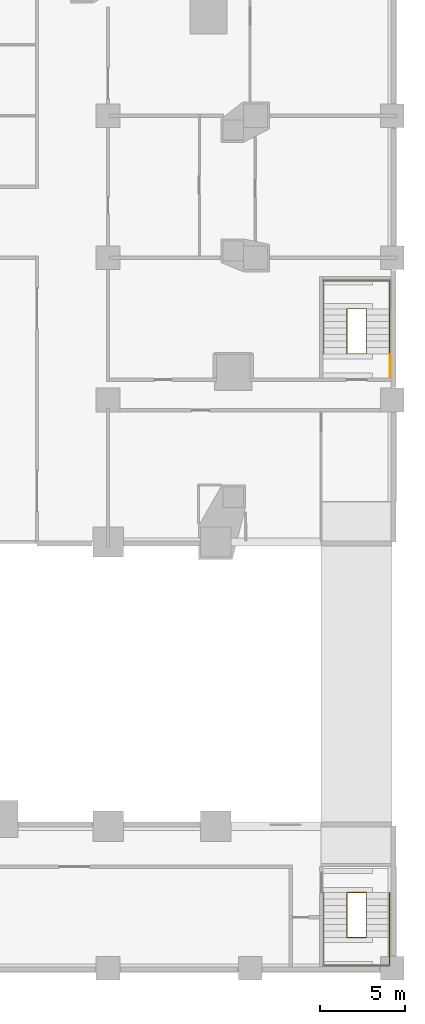
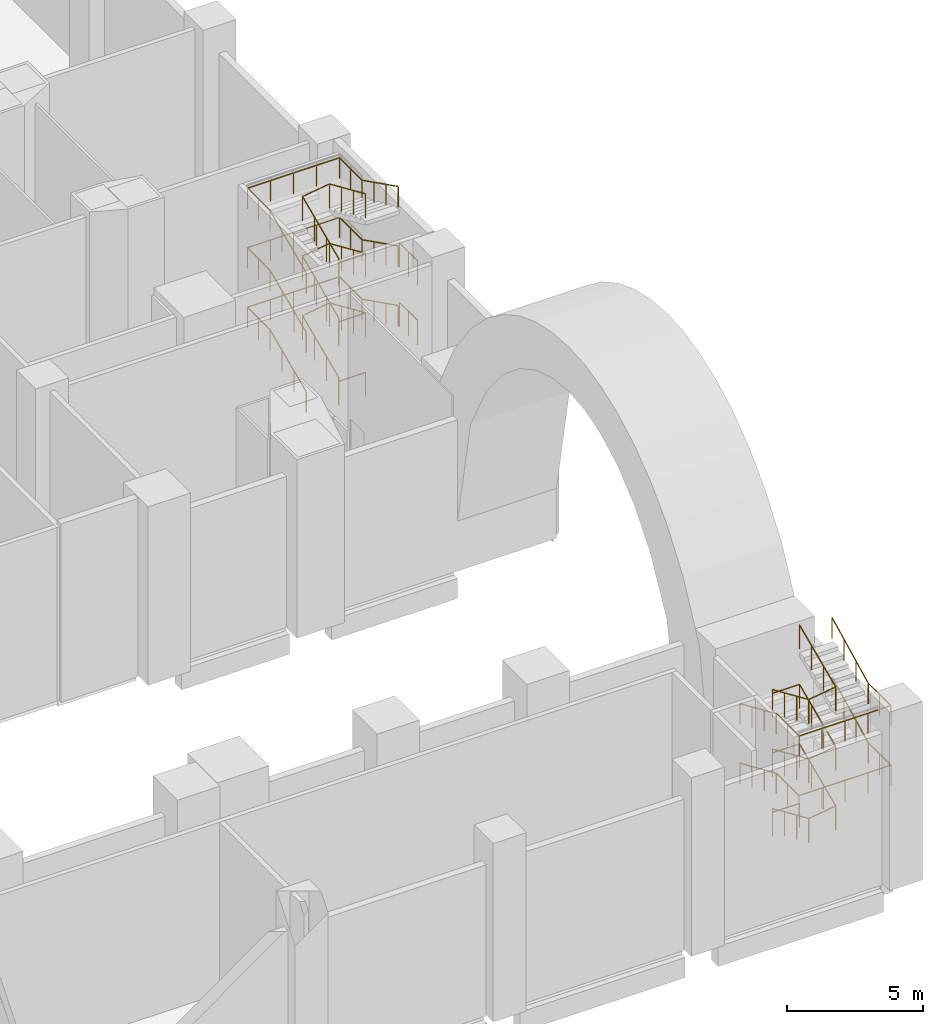
# One storey, part 17 of 19: 13 railings.
"""IFC4 building model written with IfcOpenShell, lengths in metres."""

from ifc_helpers import new_model, si_unit, direction, frame, origin, origin_2d, place, context, subcontext, project, spatial, circle, extrude, material, type_object, element, save


model = new_model("IFC4")

# Units and contexts
model_context = context("Model", 3, precision=1e-05, world=origin(), true_north=direction((0.0, 1.0)))
body_context = subcontext(model_context, "Body", "Model", "MODEL_VIEW")
ifc_project = project(units=[si_unit("LENGTHUNIT", "METRE"), si_unit("AREAUNIT", "SQUARE_METRE"), si_unit("VOLUMEUNIT", "CUBIC_METRE"), si_unit("PLANEANGLEUNIT", "RADIAN"), si_unit("MASSUNIT", "GRAM", prefix="KILO")], contexts=[model_context])

# Site, building, storey
site_placement = place(None, origin())
site = spatial("IfcSite", under=ifc_project, at=site_placement, CompositionType="ELEMENT")
building_placement = place(site_placement, origin())
building = spatial("IfcBuilding", under=site, at=building_placement, Name="Marenta Gate Hotel Tower", CompositionType="ELEMENT")
storey_placement = place(building_placement, frame((0.0, 0.0, 13.0)))
storey = spatial("IfcBuildingStorey", under=building, at=storey_placement, Name="L02", CompositionType="ELEMENT", Elevation=13.0)

# Railings
ifc_material_1 = material(Name="Stainless steel", Category="steel")
railing_type_1 = type_object("IfcRailingType", Name="Core stair handrail 950", PredefinedType="HANDRAIL", material=ifc_material_1)
railing_1_placement = place(storey_placement, frame((33.75, -20.72998046875, 2.833251953125)))
element("IfcRailing", 1, at=railing_1_placement, inside=storey, type_object=railing_type_1, Name="HR-950 L02-KR-PX2-5", PredefinedType="HANDRAIL", context=body_context, shape_type="SweptSolid", body=[
    extrude(circle(Radius=0.02392578125, at=origin_2d()), frame((0.0, 0.0, 0.92578125), z_axis=(0.0, -0.915773020194, 0.401696123314), x_axis=(1.0, 0.0, 0.0)), (0.0, 0.0, 1.0), 2.904541015625),
    extrude(circle(Radius=0.02392578125, at=origin_2d()), frame((0.0, -2.659912109375, 2.0927734375), z_axis=(0.0, -1.0, 0.0), x_axis=(1.0, 0.0, 0.0)), (0.0, 0.0, 1.0), 1.66015625),
    extrude(circle(Radius=0.02392578125, at=origin_2d()), frame((0.0, -4.320068359375, 2.0927734375), z_axis=(1.0, 0.0, 0.0), x_axis=(0.0, 1.0, 0.0)), (0.0, 0.0, 1.0), 3.89990234375),
    extrude(circle(Radius=0.02392578125, at=origin_2d()), frame((3.89990234375, -4.320068359375, 2.0927734375), z_axis=(0.0, 1.0, 0.0), x_axis=(-1.0, 0.0, 0.0)), (0.0, 0.0, 1.0), 1.66015625),
    extrude(circle(Radius=0.02392578125, at=origin_2d()), frame((3.89990234375, -2.659912109375, 2.0927734375), z_axis=(0.0, 0.893983657746, 0.448099564475), x_axis=(-1.0, 0.0, 0.0)), (0.0, 0.0, 1.0), 2.975341796875),
    extrude(circle(Radius=0.02099609375, at=origin_2d()), origin(), (0.0, 0.0, 1.0), 0.90185546875),
    extrude(circle(Radius=0.02099609375, at=origin_2d()), frame((0.0, -0.88671875, 0.388916015625)), (0.0, 0.0, 1.0), 0.90185546875),
    extrude(circle(Radius=0.02099609375, at=origin_2d()), frame((0.0, -1.773193359375, 0.77783203125)), (0.0, 0.0, 1.0), 0.90185546875),
    extrude(circle(Radius=0.02099609375, at=origin_2d()), frame((0.0, -2.659912109375, 1.166748046875)), (0.0, 0.0, 1.0), 0.90185546875),
    extrude(circle(Radius=0.02099609375, at=origin_2d()), frame((0.0, -3.489990234375, 1.166748046875)), (0.0, 0.0, 1.0), 0.90185546875),
    extrude(circle(Radius=0.02099609375, at=origin_2d()), frame((0.0, -4.320068359375, 1.166748046875)), (0.0, 0.0, 1.0), 0.90185546875),
    extrude(circle(Radius=0.02099609375, at=origin_2d()), frame((0.97509765625, -4.320068359375, 1.166748046875)), (0.0, 0.0, 1.0), 0.90185546875),
    extrude(circle(Radius=0.02099609375, at=origin_2d()), frame((1.949951171875, -4.320068359375, 1.166748046875)), (0.0, 0.0, 1.0), 0.90185546875),
    extrude(circle(Radius=0.02099609375, at=origin_2d()), frame((2.9248046875, -4.320068359375, 1.166748046875)), (0.0, 0.0, 1.0), 0.90185546875),
    extrude(circle(Radius=0.02099609375, at=origin_2d()), frame((3.89990234375, -4.320068359375, 1.166748046875)), (0.0, 0.0, 1.0), 0.90185546875),
    extrude(circle(Radius=0.02099609375, at=origin_2d()), frame((3.89990234375, -3.489990234375, 1.166748046875)), (0.0, 0.0, 1.0), 0.90185546875),
    extrude(circle(Radius=0.02099609375, at=origin_2d()), frame((3.89990234375, -2.659912109375, 1.166748046875)), (0.0, 0.0, 1.0), 0.90185546875),
    extrude(circle(Radius=0.02099609375, at=origin_2d()), frame((3.89990234375, -1.773193359375, 1.611083984375)), (0.0, 0.0, 1.0), 0.90185546875),
    extrude(circle(Radius=0.02099609375, at=origin_2d()), frame((3.89990234375, -0.88671875, 2.0556640625)), (0.0, 0.0, 1.0), 0.90185546875),
    extrude(circle(Radius=0.02099609375, at=origin_2d()), frame((3.89990234375, 0.0, 2.5)), (0.0, 0.0, 1.0), 0.90185546875),
])
railing_2_placement = place(storey_placement, frame((33.75, -20.72998046875, 5.5)))
element("IfcRailing", 2, at=railing_2_placement, inside=storey, type_object=railing_type_1, Name="HR-950 L02-KR-PX2-8", PredefinedType="HANDRAIL", context=body_context, shape_type="SweptSolid", body=[
    extrude(circle(Radius=0.02392578125, at=origin_2d()), frame((0.0, 0.0, 0.92578125), z_axis=(0.0, -0.915773020194, 0.401696123314), x_axis=(1.0, 0.0, 0.0)), (0.0, 0.0, 1.0), 2.904541015625),
    extrude(circle(Radius=0.02392578125, at=origin_2d()), frame((0.0, -2.659912109375, 2.0927734375), z_axis=(0.0, -1.0, 0.0), x_axis=(1.0, 0.0, 0.0)), (0.0, 0.0, 1.0), 1.66015625),
    extrude(circle(Radius=0.02392578125, at=origin_2d()), frame((0.0, -4.320068359375, 2.0927734375), z_axis=(1.0, 0.0, 0.0), x_axis=(0.0, 1.0, 0.0)), (0.0, 0.0, 1.0), 3.89990234375),
    extrude(circle(Radius=0.02392578125, at=origin_2d()), frame((3.89990234375, -4.320068359375, 2.0927734375), z_axis=(0.0, 1.0, 0.0), x_axis=(-1.0, 0.0, 0.0)), (0.0, 0.0, 1.0), 1.66015625),
    extrude(circle(Radius=0.02392578125, at=origin_2d()), frame((3.89990234375, -2.659912109375, 2.0927734375), z_axis=(0.0, 0.893983657746, 0.448099564475), x_axis=(-1.0, 0.0, 0.0)), (0.0, 0.0, 1.0), 2.975341796875),
    extrude(circle(Radius=0.02099609375, at=origin_2d()), origin(), (0.0, 0.0, 1.0), 0.90185546875),
    extrude(circle(Radius=0.02099609375, at=origin_2d()), frame((0.0, -0.88671875, 0.388916015625)), (0.0, 0.0, 1.0), 0.90185546875),
    extrude(circle(Radius=0.02099609375, at=origin_2d()), frame((0.0, -1.773193359375, 0.77783203125)), (0.0, 0.0, 1.0), 0.90185546875),
    extrude(circle(Radius=0.02099609375, at=origin_2d()), frame((0.0, -2.659912109375, 1.166748046875)), (0.0, 0.0, 1.0), 0.90185546875),
    extrude(circle(Radius=0.02099609375, at=origin_2d()), frame((0.0, -3.489990234375, 1.166748046875)), (0.0, 0.0, 1.0), 0.90185546875),
    extrude(circle(Radius=0.02099609375, at=origin_2d()), frame((0.0, -4.320068359375, 1.166748046875)), (0.0, 0.0, 1.0), 0.90185546875),
    extrude(circle(Radius=0.02099609375, at=origin_2d()), frame((0.97509765625, -4.320068359375, 1.166748046875)), (0.0, 0.0, 1.0), 0.90185546875),
    extrude(circle(Radius=0.02099609375, at=origin_2d()), frame((1.949951171875, -4.320068359375, 1.166748046875)), (0.0, 0.0, 1.0), 0.90185546875),
    extrude(circle(Radius=0.02099609375, at=origin_2d()), frame((2.9248046875, -4.320068359375, 1.166748046875)), (0.0, 0.0, 1.0), 0.90185546875),
    extrude(circle(Radius=0.02099609375, at=origin_2d()), frame((3.89990234375, -4.320068359375, 1.166748046875)), (0.0, 0.0, 1.0), 0.90185546875),
    extrude(circle(Radius=0.02099609375, at=origin_2d()), frame((3.89990234375, -3.489990234375, 1.166748046875)), (0.0, 0.0, 1.0), 0.90185546875),
    extrude(circle(Radius=0.02099609375, at=origin_2d()), frame((3.89990234375, -2.659912109375, 1.166748046875)), (0.0, 0.0, 1.0), 0.90185546875),
    extrude(circle(Radius=0.02099609375, at=origin_2d()), frame((3.89990234375, -1.773193359375, 1.611083984375)), (0.0, 0.0, 1.0), 0.90185546875),
    extrude(circle(Radius=0.02099609375, at=origin_2d()), frame((3.89990234375, -0.88671875, 2.0556640625)), (0.0, 0.0, 1.0), 0.90185546875),
    extrude(circle(Radius=0.02099609375, at=origin_2d()), frame((3.89990234375, 0.0, 2.5)), (0.0, 0.0, 1.0), 0.90185546875),
])
railing_3_placement = place(storey_placement, frame((33.75, 11.1298828125, 0.166748046875)))
element("IfcRailing", 3, at=railing_3_placement, inside=storey, type_object=railing_type_1, Name="HR-950 L02-KR-PX7-2", PredefinedType="HANDRAIL", context=body_context, shape_type="SweptSolid", body=[
    extrude(circle(Radius=0.02392578125, at=origin_2d()), frame((0.0, 0.0, 0.92578125), z_axis=(0.0, 0.915817496131, 0.401594713337), x_axis=(-1.0, 0.0, 0.0)), (0.0, 0.0, 1.0), 2.90478515625),
    extrude(circle(Radius=0.02392578125, at=origin_2d()), frame((0.0, 2.66015625, 2.09228515625), z_axis=(0.0, 1.0, 0.0), x_axis=(-1.0, 0.0, 0.0)), (0.0, 0.0, 1.0), 1.659912109375),
    extrude(circle(Radius=0.02392578125, at=origin_2d()), frame((0.0, 4.320068359375, 2.09228515625), z_axis=(1.0, 0.0, 0.0), x_axis=(0.0, 1.0, 0.0)), (0.0, 0.0, 1.0), 3.89990234375),
    extrude(circle(Radius=0.02392578125, at=origin_2d()), frame((3.89990234375, 4.320068359375, 2.09228515625), z_axis=(0.0, -1.0, 0.0), x_axis=(1.0, 0.0, 0.0)), (0.0, 0.0, 1.0), 1.659912109375),
    extrude(circle(Radius=0.02392578125, at=origin_2d()), frame((3.89990234375, 2.66015625, 2.09228515625), z_axis=(0.0, -0.893967264428, 0.448132268567), x_axis=(1.0, 0.0, 0.0)), (0.0, 0.0, 1.0), 2.9755859375),
    extrude(circle(Radius=0.02099609375, at=origin_2d()), origin(), (0.0, 0.0, 1.0), 0.90185546875),
    extrude(circle(Radius=0.02099609375, at=origin_2d()), frame((0.0, 0.88671875, 0.388916015625)), (0.0, 0.0, 1.0), 0.90185546875),
    extrude(circle(Radius=0.02099609375, at=origin_2d()), frame((0.0, 1.7734375, 0.777587890625)), (0.0, 0.0, 1.0), 0.90185546875),
    extrude(circle(Radius=0.02099609375, at=origin_2d()), frame((0.0, 2.66015625, 1.16650390625)), (0.0, 0.0, 1.0), 0.90185546875),
    extrude(circle(Radius=0.02099609375, at=origin_2d()), frame((0.0, 3.490234375, 1.16650390625)), (0.0, 0.0, 1.0), 0.90185546875),
    extrude(circle(Radius=0.02099609375, at=origin_2d()), frame((0.0, 4.320068359375, 1.16650390625)), (0.0, 0.0, 1.0), 0.90185546875),
    extrude(circle(Radius=0.02099609375, at=origin_2d()), frame((0.97509765625, 4.320068359375, 1.16650390625)), (0.0, 0.0, 1.0), 0.90185546875),
    extrude(circle(Radius=0.02099609375, at=origin_2d()), frame((1.949951171875, 4.320068359375, 1.16650390625)), (0.0, 0.0, 1.0), 0.90185546875),
    extrude(circle(Radius=0.02099609375, at=origin_2d()), frame((2.9248046875, 4.320068359375, 1.16650390625)), (0.0, 0.0, 1.0), 0.90185546875),
    extrude(circle(Radius=0.02099609375, at=origin_2d()), frame((3.89990234375, 4.320068359375, 1.16650390625)), (0.0, 0.0, 1.0), 0.90185546875),
    extrude(circle(Radius=0.02099609375, at=origin_2d()), frame((3.89990234375, 3.490234375, 1.16650390625)), (0.0, 0.0, 1.0), 0.90185546875),
    extrude(circle(Radius=0.02099609375, at=origin_2d()), frame((3.89990234375, 2.66015625, 1.16650390625)), (0.0, 0.0, 1.0), 0.90185546875),
    extrude(circle(Radius=0.02099609375, at=origin_2d()), frame((3.89990234375, 1.7734375, 1.611083984375)), (0.0, 0.0, 1.0), 0.90185546875),
    extrude(circle(Radius=0.02099609375, at=origin_2d()), frame((3.89990234375, 0.88671875, 2.055419921875)), (0.0, 0.0, 1.0), 0.90185546875),
    extrude(circle(Radius=0.02099609375, at=origin_2d()), frame((3.89990234375, 0.0, 2.5)), (0.0, 0.0, 1.0), 0.90185546875),
])
railing_4_placement = place(storey_placement, frame((33.75, 11.1298828125, 2.833251953125)))
element("IfcRailing", 4, at=railing_4_placement, inside=storey, type_object=railing_type_1, Name="HR-950 L02-KR-PX7-5", PredefinedType="HANDRAIL", context=body_context, shape_type="SweptSolid", body=[
    extrude(circle(Radius=0.02392578125, at=origin_2d()), frame((0.0, 0.0, 0.92578125), z_axis=(0.0, 0.915786581632, 0.401665204994), x_axis=(-1.0, 0.0, 0.0)), (0.0, 0.0, 1.0), 2.90478515625),
    extrude(circle(Radius=0.02392578125, at=origin_2d()), frame((0.0, 2.66015625, 2.0927734375), z_axis=(0.0, 1.0, 0.0), x_axis=(-1.0, 0.0, 0.0)), (0.0, 0.0, 1.0), 1.659912109375),
    extrude(circle(Radius=0.02392578125, at=origin_2d()), frame((0.0, 4.320068359375, 2.0927734375), z_axis=(1.0, 0.0, 0.0), x_axis=(0.0, 1.0, 0.0)), (0.0, 0.0, 1.0), 3.89990234375),
    extrude(circle(Radius=0.02392578125, at=origin_2d()), frame((3.89990234375, 4.320068359375, 2.0927734375), z_axis=(0.0, -1.0, 0.0), x_axis=(1.0, 0.0, 0.0)), (0.0, 0.0, 1.0), 1.659912109375),
    extrude(circle(Radius=0.02392578125, at=origin_2d()), frame((3.89990234375, 2.66015625, 2.0927734375), z_axis=(0.0, -0.894000131919, 0.448066696073), x_axis=(1.0, 0.0, 0.0)), (0.0, 0.0, 1.0), 2.9755859375),
    extrude(circle(Radius=0.02099609375, at=origin_2d()), origin(), (0.0, 0.0, 1.0), 0.90185546875),
    extrude(circle(Radius=0.02099609375, at=origin_2d()), frame((0.0, 0.88671875, 0.388916015625)), (0.0, 0.0, 1.0), 0.90185546875),
    extrude(circle(Radius=0.02099609375, at=origin_2d()), frame((0.0, 1.7734375, 0.77783203125)), (0.0, 0.0, 1.0), 0.90185546875),
    extrude(circle(Radius=0.02099609375, at=origin_2d()), frame((0.0, 2.66015625, 1.166748046875)), (0.0, 0.0, 1.0), 0.90185546875),
    extrude(circle(Radius=0.02099609375, at=origin_2d()), frame((0.0, 3.490234375, 1.166748046875)), (0.0, 0.0, 1.0), 0.90185546875),
    extrude(circle(Radius=0.02099609375, at=origin_2d()), frame((0.0, 4.320068359375, 1.166748046875)), (0.0, 0.0, 1.0), 0.90185546875),
    extrude(circle(Radius=0.02099609375, at=origin_2d()), frame((0.97509765625, 4.320068359375, 1.166748046875)), (0.0, 0.0, 1.0), 0.90185546875),
    extrude(circle(Radius=0.02099609375, at=origin_2d()), frame((1.949951171875, 4.320068359375, 1.166748046875)), (0.0, 0.0, 1.0), 0.90185546875),
    extrude(circle(Radius=0.02099609375, at=origin_2d()), frame((2.9248046875, 4.320068359375, 1.166748046875)), (0.0, 0.0, 1.0), 0.90185546875),
    extrude(circle(Radius=0.02099609375, at=origin_2d()), frame((3.89990234375, 4.320068359375, 1.166748046875)), (0.0, 0.0, 1.0), 0.90185546875),
    extrude(circle(Radius=0.02099609375, at=origin_2d()), frame((3.89990234375, 3.490234375, 1.166748046875)), (0.0, 0.0, 1.0), 0.90185546875),
    extrude(circle(Radius=0.02099609375, at=origin_2d()), frame((3.89990234375, 2.66015625, 1.166748046875)), (0.0, 0.0, 1.0), 0.90185546875),
    extrude(circle(Radius=0.02099609375, at=origin_2d()), frame((3.89990234375, 1.7734375, 1.611083984375)), (0.0, 0.0, 1.0), 0.90185546875),
    extrude(circle(Radius=0.02099609375, at=origin_2d()), frame((3.89990234375, 0.88671875, 2.0556640625)), (0.0, 0.0, 1.0), 0.90185546875),
    extrude(circle(Radius=0.02099609375, at=origin_2d()), frame((3.89990234375, 0.0, 2.5)), (0.0, 0.0, 1.0), 0.90185546875),
])
railing_5_placement = place(storey_placement, frame((33.75, 11.1298828125, 5.5)))
element("IfcRailing", 5, at=railing_5_placement, inside=storey, type_object=railing_type_1, Name="HR-950 L02-KR-PX7-8", PredefinedType="HANDRAIL", context=body_context, shape_type="SweptSolid", body=[
    extrude(circle(Radius=0.02392578125, at=origin_2d()), frame((0.0, 0.0, 0.92578125), z_axis=(0.0, 0.915786581632, 0.401665204994), x_axis=(-1.0, 0.0, 0.0)), (0.0, 0.0, 1.0), 2.90478515625),
    extrude(circle(Radius=0.02392578125, at=origin_2d()), frame((0.0, 2.66015625, 2.0927734375), z_axis=(0.0, 1.0, 0.0), x_axis=(-1.0, 0.0, 0.0)), (0.0, 0.0, 1.0), 1.659912109375),
    extrude(circle(Radius=0.02392578125, at=origin_2d()), frame((0.0, 4.320068359375, 2.0927734375), z_axis=(1.0, 0.0, 0.0), x_axis=(0.0, 1.0, 0.0)), (0.0, 0.0, 1.0), 3.89990234375),
    extrude(circle(Radius=0.02392578125, at=origin_2d()), frame((3.89990234375, 4.320068359375, 2.0927734375), z_axis=(0.0, -1.0, 0.0), x_axis=(1.0, 0.0, 0.0)), (0.0, 0.0, 1.0), 1.659912109375),
    extrude(circle(Radius=0.02392578125, at=origin_2d()), frame((3.89990234375, 2.66015625, 2.0927734375), z_axis=(0.0, -0.894000131919, 0.448066696073), x_axis=(1.0, 0.0, 0.0)), (0.0, 0.0, 1.0), 2.9755859375),
    extrude(circle(Radius=0.02099609375, at=origin_2d()), origin(), (0.0, 0.0, 1.0), 0.90185546875),
    extrude(circle(Radius=0.02099609375, at=origin_2d()), frame((0.0, 0.88671875, 0.388916015625)), (0.0, 0.0, 1.0), 0.90185546875),
    extrude(circle(Radius=0.02099609375, at=origin_2d()), frame((0.0, 1.7734375, 0.77783203125)), (0.0, 0.0, 1.0), 0.90185546875),
    extrude(circle(Radius=0.02099609375, at=origin_2d()), frame((0.0, 2.66015625, 1.166748046875)), (0.0, 0.0, 1.0), 0.90185546875),
    extrude(circle(Radius=0.02099609375, at=origin_2d()), frame((0.0, 3.490234375, 1.166748046875)), (0.0, 0.0, 1.0), 0.90185546875),
    extrude(circle(Radius=0.02099609375, at=origin_2d()), frame((0.0, 4.320068359375, 1.166748046875)), (0.0, 0.0, 1.0), 0.90185546875),
    extrude(circle(Radius=0.02099609375, at=origin_2d()), frame((0.97509765625, 4.320068359375, 1.166748046875)), (0.0, 0.0, 1.0), 0.90185546875),
    extrude(circle(Radius=0.02099609375, at=origin_2d()), frame((1.949951171875, 4.320068359375, 1.166748046875)), (0.0, 0.0, 1.0), 0.90185546875),
    extrude(circle(Radius=0.02099609375, at=origin_2d()), frame((2.9248046875, 4.320068359375, 1.166748046875)), (0.0, 0.0, 1.0), 0.90185546875),
    extrude(circle(Radius=0.02099609375, at=origin_2d()), frame((3.89990234375, 4.320068359375, 1.166748046875)), (0.0, 0.0, 1.0), 0.90185546875),
    extrude(circle(Radius=0.02099609375, at=origin_2d()), frame((3.89990234375, 3.490234375, 1.166748046875)), (0.0, 0.0, 1.0), 0.90185546875),
    extrude(circle(Radius=0.02099609375, at=origin_2d()), frame((3.89990234375, 2.66015625, 1.166748046875)), (0.0, 0.0, 1.0), 0.90185546875),
    extrude(circle(Radius=0.02099609375, at=origin_2d()), frame((3.89990234375, 1.7734375, 1.611083984375)), (0.0, 0.0, 1.0), 0.90185546875),
    extrude(circle(Radius=0.02099609375, at=origin_2d()), frame((3.89990234375, 0.88671875, 2.0556640625)), (0.0, 0.0, 1.0), 0.90185546875),
    extrude(circle(Radius=0.02099609375, at=origin_2d()), frame((3.89990234375, 0.0, 2.5)), (0.0, 0.0, 1.0), 0.90185546875),
])
ifc_material_2 = material(Name="Stainless steel", Category="steel")
railing_type_2 = type_object("IfcRailingType", Name="Core stair well guard 1100", PredefinedType="GUARDRAIL", material=ifc_material_2)
railing_6_placement = place(storey_placement, frame((36.27001953125, -20.72998046875, 0.0)))
element("IfcRailing", 6, at=railing_6_placement, inside=storey, type_object=railing_type_2, Name="GR-1100 L02-KR-PX2-3", PredefinedType="GUARDRAIL", context=body_context, shape_type="SweptSolid", body=[
    extrude(circle(Radius=0.02392578125, at=origin_2d()), frame((0.0, 0.0, 1.076171875), z_axis=(-1.0, 0.0, 0.0), x_axis=(0.0, -1.0, 0.0)), (0.0, 0.0, 1.0), 1.14013671875),
    extrude(circle(Radius=0.02392578125, at=origin_2d()), frame((-1.14013671875, 0.0, 1.076171875), z_axis=(0.0, 0.0, 1.0), x_axis=(1.0, 0.0, 0.0)), (0.0, 0.0, 1.0), 0.166748046875),
    extrude(circle(Radius=0.02392578125, at=origin_2d()), frame((-1.14013671875, 0.0, 1.24267578125), z_axis=(0.0, -0.915803938995, 0.401625628317), x_axis=(1.0, 0.0, 0.0)), (0.0, 0.0, 1.0), 2.904541015625),
    extrude(circle(Radius=0.02392578125, at=origin_2d()), frame((-1.14013671875, -2.659912109375, 2.4091796875), z_axis=(0.989473647251, 0.0, 0.144713169394), x_axis=(0.0, 1.0, 0.0)), (0.0, 0.0, 1.0), 1.15234375),
    extrude(circle(Radius=0.02392578125, at=origin_2d()), frame((0.0, -2.659912109375, 2.576171875), z_axis=(0.0, 0.915773020194, 0.401696123314), x_axis=(-1.0, 0.0, 0.0)), (0.0, 0.0, 1.0), 2.904541015625),
    extrude(circle(Radius=0.02099609375, at=origin_2d()), origin(), (0.0, 0.0, 1.0), 1.052001953125),
    extrude(circle(Radius=0.02099609375, at=origin_2d()), frame((-1.14013671875, 0.0, 0.0)), (0.0, 0.0, 1.0), 1.052001953125),
    extrude(circle(Radius=0.02099609375, at=origin_2d()), frame((-1.14013671875, 0.0, 0.166748046875)), (0.0, 0.0, 1.0), 1.052001953125),
    extrude(circle(Radius=0.02099609375, at=origin_2d()), frame((-1.14013671875, -0.88671875, 0.5556640625)), (0.0, 0.0, 1.0), 1.052001953125),
    extrude(circle(Radius=0.02099609375, at=origin_2d()), frame((-1.14013671875, -1.773193359375, 0.9443359375)), (0.0, 0.0, 1.0), 1.052001953125),
    extrude(circle(Radius=0.02099609375, at=origin_2d()), frame((-1.14013671875, -2.659912109375, 1.333251953125)), (0.0, 0.0, 1.0), 1.052001953125),
    extrude(circle(Radius=0.02099609375, at=origin_2d()), frame((0.0, -2.659912109375, 1.5)), (0.0, 0.0, 1.0), 1.052001953125),
    extrude(circle(Radius=0.02099609375, at=origin_2d()), frame((0.0, -1.773193359375, 1.888916015625)), (0.0, 0.0, 1.0), 1.052001953125),
    extrude(circle(Radius=0.02099609375, at=origin_2d()), frame((0.0, -0.88671875, 2.27783203125)), (0.0, 0.0, 1.0), 1.052001953125),
    extrude(circle(Radius=0.02099609375, at=origin_2d()), frame((0.0, 0.0, 2.666748046875)), (0.0, 0.0, 1.0), 1.052001953125),
])
railing_7_placement = place(storey_placement, frame((36.27001953125, -20.72998046875, 2.666748046875)))
element("IfcRailing", 7, at=railing_7_placement, inside=storey, type_object=railing_type_2, Name="GR-1100 L02-KR-PX2-6", PredefinedType="GUARDRAIL", context=body_context, shape_type="SweptSolid", body=[
    extrude(circle(Radius=0.02392578125, at=origin_2d()), frame((0.0, 0.0, 1.076171875), z_axis=(-1.0, 0.0, 0.0), x_axis=(0.0, -1.0, 0.0)), (0.0, 0.0, 1.0), 1.14013671875),
    extrude(circle(Radius=0.02392578125, at=origin_2d()), frame((-1.14013671875, 0.0, 1.076171875), z_axis=(0.0, 0.0, 1.0), x_axis=(1.0, 0.0, 0.0)), (0.0, 0.0, 1.0), 0.16650390625),
    extrude(circle(Radius=0.02392578125, at=origin_2d()), frame((-1.14013671875, 0.0, 1.24267578125), z_axis=(0.0, -0.915773020194, 0.401696123314), x_axis=(1.0, 0.0, 0.0)), (0.0, 0.0, 1.0), 2.904541015625),
    extrude(circle(Radius=0.02392578125, at=origin_2d()), frame((-1.14013671875, -2.659912109375, 2.4091796875), z_axis=(0.989473647251, 0.0, 0.144713169394), x_axis=(0.0, 1.0, 0.0)), (0.0, 0.0, 1.0), 1.15234375),
    extrude(circle(Radius=0.02392578125, at=origin_2d()), frame((0.0, -2.659912109375, 2.576171875), z_axis=(0.0, 0.915803938995, 0.401625628317), x_axis=(-1.0, 0.0, 0.0)), (0.0, 0.0, 1.0), 2.904541015625),
    extrude(circle(Radius=0.02099609375, at=origin_2d()), origin(), (0.0, 0.0, 1.0), 1.052001953125),
    extrude(circle(Radius=0.02099609375, at=origin_2d()), frame((-1.14013671875, 0.0, 0.0)), (0.0, 0.0, 1.0), 1.052001953125),
    extrude(circle(Radius=0.02099609375, at=origin_2d()), frame((-1.14013671875, 0.0, 0.16650390625)), (0.0, 0.0, 1.0), 1.052001953125),
    extrude(circle(Radius=0.02099609375, at=origin_2d()), frame((-1.14013671875, -0.88671875, 0.555419921875)), (0.0, 0.0, 1.0), 1.052001953125),
    extrude(circle(Radius=0.02099609375, at=origin_2d()), frame((-1.14013671875, -1.773193359375, 0.9443359375)), (0.0, 0.0, 1.0), 1.052001953125),
    extrude(circle(Radius=0.02099609375, at=origin_2d()), frame((-1.14013671875, -2.659912109375, 1.333251953125)), (0.0, 0.0, 1.0), 1.052001953125),
    extrude(circle(Radius=0.02099609375, at=origin_2d()), frame((0.0, -2.659912109375, 1.5)), (0.0, 0.0, 1.0), 1.052001953125),
    extrude(circle(Radius=0.02099609375, at=origin_2d()), frame((0.0, -1.773193359375, 1.888916015625)), (0.0, 0.0, 1.0), 1.052001953125),
    extrude(circle(Radius=0.02099609375, at=origin_2d()), frame((0.0, -0.88671875, 2.277587890625)), (0.0, 0.0, 1.0), 1.052001953125),
    extrude(circle(Radius=0.02099609375, at=origin_2d()), frame((0.0, 0.0, 2.66650390625)), (0.0, 0.0, 1.0), 1.052001953125),
])
railing_8_placement = place(storey_placement, frame((36.27001953125, -20.72998046875, 5.333251953125)))
element("IfcRailing", 8, at=railing_8_placement, inside=storey, type_object=railing_type_2, Name="GR-1100 L02-KR-PX2-9", PredefinedType="GUARDRAIL", context=body_context, shape_type="SweptSolid", body=[
    extrude(circle(Radius=0.02392578125, at=origin_2d()), frame((0.0, 0.0, 1.076171875), z_axis=(-1.0, 0.0, 0.0), x_axis=(0.0, -1.0, 0.0)), (0.0, 0.0, 1.0), 1.14013671875),
    extrude(circle(Radius=0.02392578125, at=origin_2d()), frame((-1.14013671875, 0.0, 1.076171875), z_axis=(0.0, 0.0, 1.0), x_axis=(1.0, 0.0, 0.0)), (0.0, 0.0, 1.0), 0.166748046875),
    extrude(circle(Radius=0.02392578125, at=origin_2d()), frame((-1.14013671875, 0.0, 1.24267578125), z_axis=(0.0, -0.915773020194, 0.401696123314), x_axis=(1.0, 0.0, 0.0)), (0.0, 0.0, 1.0), 2.904541015625),
    extrude(circle(Radius=0.02392578125, at=origin_2d()), frame((-1.14013671875, -2.659912109375, 2.40966796875), z_axis=(0.989503965321, 0.0, 0.144505718276), x_axis=(0.0, 1.0, 0.0)), (0.0, 0.0, 1.0), 1.15234375),
    extrude(circle(Radius=0.02392578125, at=origin_2d()), frame((0.0, -2.659912109375, 2.576171875), z_axis=(0.0, 0.915773020194, 0.401696123314), x_axis=(-1.0, 0.0, 0.0)), (0.0, 0.0, 1.0), 2.904541015625),
    extrude(circle(Radius=0.02099609375, at=origin_2d()), origin(), (0.0, 0.0, 1.0), 1.052001953125),
    extrude(circle(Radius=0.02099609375, at=origin_2d()), frame((-1.14013671875, 0.0, 0.0)), (0.0, 0.0, 1.0), 1.052001953125),
    extrude(circle(Radius=0.02099609375, at=origin_2d()), frame((-1.14013671875, 0.0, 0.166748046875)), (0.0, 0.0, 1.0), 1.052001953125),
    extrude(circle(Radius=0.02099609375, at=origin_2d()), frame((-1.14013671875, -0.88671875, 0.5556640625)), (0.0, 0.0, 1.0), 1.052001953125),
    extrude(circle(Radius=0.02099609375, at=origin_2d()), frame((-1.14013671875, -1.773193359375, 0.944580078125)), (0.0, 0.0, 1.0), 1.052001953125),
    extrude(circle(Radius=0.02099609375, at=origin_2d()), frame((-1.14013671875, -2.659912109375, 1.33349609375)), (0.0, 0.0, 1.0), 1.052001953125),
    extrude(circle(Radius=0.02099609375, at=origin_2d()), frame((0.0, -2.659912109375, 1.5)), (0.0, 0.0, 1.0), 1.052001953125),
    extrude(circle(Radius=0.02099609375, at=origin_2d()), frame((0.0, -1.773193359375, 1.888916015625)), (0.0, 0.0, 1.0), 1.052001953125),
    extrude(circle(Radius=0.02099609375, at=origin_2d()), frame((0.0, -0.88671875, 2.27783203125)), (0.0, 0.0, 1.0), 1.052001953125),
    extrude(circle(Radius=0.02099609375, at=origin_2d()), frame((0.0, 0.0, 2.666748046875)), (0.0, 0.0, 1.0), 1.052001953125),
])
railing_9_placement = place(storey_placement, frame((36.27001953125, 11.1298828125, 0.0)))
element("IfcRailing", 9, at=railing_9_placement, inside=storey, type_object=railing_type_2, Name="GR-1100 L02-KR-PX7-3", PredefinedType="GUARDRAIL", context=body_context, shape_type="SweptSolid", body=[
    extrude(circle(Radius=0.02392578125, at=origin_2d()), frame((0.0, 0.0, 1.076171875), z_axis=(-1.0, 0.0, 0.0), x_axis=(0.0, -1.0, 0.0)), (0.0, 0.0, 1.0), 1.14013671875),
    extrude(circle(Radius=0.02392578125, at=origin_2d()), frame((-1.14013671875, 0.0, 1.076171875), z_axis=(0.0, 0.0, 1.0), x_axis=(1.0, 0.0, 0.0)), (0.0, 0.0, 1.0), 0.166748046875),
    extrude(circle(Radius=0.02392578125, at=origin_2d()), frame((-1.14013671875, 0.0, 1.24267578125), z_axis=(0.0, 0.915817496131, 0.401594713337), x_axis=(-1.0, 0.0, 0.0)), (0.0, 0.0, 1.0), 2.90478515625),
    extrude(circle(Radius=0.02392578125, at=origin_2d()), frame((-1.14013671875, 2.66015625, 2.4091796875), z_axis=(0.989473647251, 0.0, 0.144713169394), x_axis=(0.0, 1.0, 0.0)), (0.0, 0.0, 1.0), 1.15234375),
    extrude(circle(Radius=0.02392578125, at=origin_2d()), frame((0.0, 2.66015625, 2.576171875), z_axis=(0.0, -0.915786581632, 0.401665204994), x_axis=(1.0, 0.0, 0.0)), (0.0, 0.0, 1.0), 2.90478515625),
    extrude(circle(Radius=0.02099609375, at=origin_2d()), origin(), (0.0, 0.0, 1.0), 1.052001953125),
    extrude(circle(Radius=0.02099609375, at=origin_2d()), frame((-1.14013671875, 0.0, 0.0)), (0.0, 0.0, 1.0), 1.052001953125),
    extrude(circle(Radius=0.02099609375, at=origin_2d()), frame((-1.14013671875, 0.0, 0.166748046875)), (0.0, 0.0, 1.0), 1.052001953125),
    extrude(circle(Radius=0.02099609375, at=origin_2d()), frame((-1.14013671875, 0.88671875, 0.5556640625)), (0.0, 0.0, 1.0), 1.052001953125),
    extrude(circle(Radius=0.02099609375, at=origin_2d()), frame((-1.14013671875, 1.7734375, 0.9443359375)), (0.0, 0.0, 1.0), 1.052001953125),
    extrude(circle(Radius=0.02099609375, at=origin_2d()), frame((-1.14013671875, 2.66015625, 1.333251953125)), (0.0, 0.0, 1.0), 1.052001953125),
    extrude(circle(Radius=0.02099609375, at=origin_2d()), frame((0.0, 2.66015625, 1.5)), (0.0, 0.0, 1.0), 1.052001953125),
    extrude(circle(Radius=0.02099609375, at=origin_2d()), frame((0.0, 1.7734375, 1.888916015625)), (0.0, 0.0, 1.0), 1.052001953125),
    extrude(circle(Radius=0.02099609375, at=origin_2d()), frame((0.0, 0.88671875, 2.27783203125)), (0.0, 0.0, 1.0), 1.052001953125),
    extrude(circle(Radius=0.02099609375, at=origin_2d()), frame((0.0, 0.0, 2.666748046875)), (0.0, 0.0, 1.0), 1.052001953125),
])
railing_10_placement = place(storey_placement, frame((36.27001953125, 11.1298828125, 2.666748046875)))
element("IfcRailing", 10, at=railing_10_placement, inside=storey, type_object=railing_type_2, Name="GR-1100 L02-KR-PX7-6", PredefinedType="GUARDRAIL", context=body_context, shape_type="SweptSolid", body=[
    extrude(circle(Radius=0.02392578125, at=origin_2d()), frame((0.0, 0.0, 1.076171875), z_axis=(-1.0, 0.0, 0.0), x_axis=(0.0, -1.0, 0.0)), (0.0, 0.0, 1.0), 1.14013671875),
    extrude(circle(Radius=0.02392578125, at=origin_2d()), frame((-1.14013671875, 0.0, 1.076171875), z_axis=(0.0, 0.0, 1.0), x_axis=(1.0, 0.0, 0.0)), (0.0, 0.0, 1.0), 0.16650390625),
    extrude(circle(Radius=0.02392578125, at=origin_2d()), frame((-1.14013671875, 0.0, 1.24267578125), z_axis=(0.0, 0.915786581632, 0.401665204994), x_axis=(-1.0, 0.0, 0.0)), (0.0, 0.0, 1.0), 2.90478515625),
    extrude(circle(Radius=0.02392578125, at=origin_2d()), frame((-1.14013671875, 2.66015625, 2.4091796875), z_axis=(0.989473647251, 0.0, 0.144713169394), x_axis=(0.0, 1.0, 0.0)), (0.0, 0.0, 1.0), 1.15234375),
    extrude(circle(Radius=0.02392578125, at=origin_2d()), frame((0.0, 2.66015625, 2.576171875), z_axis=(0.0, -0.915817496131, 0.401594713337), x_axis=(1.0, 0.0, 0.0)), (0.0, 0.0, 1.0), 2.90478515625),
    extrude(circle(Radius=0.02099609375, at=origin_2d()), origin(), (0.0, 0.0, 1.0), 1.052001953125),
    extrude(circle(Radius=0.02099609375, at=origin_2d()), frame((-1.14013671875, 0.0, 0.0)), (0.0, 0.0, 1.0), 1.052001953125),
    extrude(circle(Radius=0.02099609375, at=origin_2d()), frame((-1.14013671875, 0.0, 0.16650390625)), (0.0, 0.0, 1.0), 1.052001953125),
    extrude(circle(Radius=0.02099609375, at=origin_2d()), frame((-1.14013671875, 0.88671875, 0.555419921875)), (0.0, 0.0, 1.0), 1.052001953125),
    extrude(circle(Radius=0.02099609375, at=origin_2d()), frame((-1.14013671875, 1.7734375, 0.9443359375)), (0.0, 0.0, 1.0), 1.052001953125),
    extrude(circle(Radius=0.02099609375, at=origin_2d()), frame((-1.14013671875, 2.66015625, 1.333251953125)), (0.0, 0.0, 1.0), 1.052001953125),
    extrude(circle(Radius=0.02099609375, at=origin_2d()), frame((0.0, 2.66015625, 1.5)), (0.0, 0.0, 1.0), 1.052001953125),
    extrude(circle(Radius=0.02099609375, at=origin_2d()), frame((0.0, 1.7734375, 1.888916015625)), (0.0, 0.0, 1.0), 1.052001953125),
    extrude(circle(Radius=0.02099609375, at=origin_2d()), frame((0.0, 0.88671875, 2.277587890625)), (0.0, 0.0, 1.0), 1.052001953125),
    extrude(circle(Radius=0.02099609375, at=origin_2d()), frame((0.0, 0.0, 2.66650390625)), (0.0, 0.0, 1.0), 1.052001953125),
])
railing_11_placement = place(storey_placement, frame((36.27001953125, 11.1298828125, 5.333251953125)))
element("IfcRailing", 11, at=railing_11_placement, inside=storey, type_object=railing_type_2, Name="GR-1100 L02-KR-PX7-9", PredefinedType="GUARDRAIL", context=body_context, shape_type="SweptSolid", body=[
    extrude(circle(Radius=0.02392578125, at=origin_2d()), frame((0.0, 0.0, 1.076171875), z_axis=(-1.0, 0.0, 0.0), x_axis=(0.0, -1.0, 0.0)), (0.0, 0.0, 1.0), 1.14013671875),
    extrude(circle(Radius=0.02392578125, at=origin_2d()), frame((-1.14013671875, 0.0, 1.076171875), z_axis=(0.0, 0.0, 1.0), x_axis=(1.0, 0.0, 0.0)), (0.0, 0.0, 1.0), 0.166748046875),
    extrude(circle(Radius=0.02392578125, at=origin_2d()), frame((-1.14013671875, 0.0, 1.24267578125), z_axis=(0.0, 0.915786581632, 0.401665204994), x_axis=(-1.0, 0.0, 0.0)), (0.0, 0.0, 1.0), 2.90478515625),
    extrude(circle(Radius=0.02392578125, at=origin_2d()), frame((-1.14013671875, 2.66015625, 2.40966796875), z_axis=(0.989503965321, 0.0, 0.144505718276), x_axis=(0.0, 1.0, 0.0)), (0.0, 0.0, 1.0), 1.15234375),
    extrude(circle(Radius=0.02392578125, at=origin_2d()), frame((0.0, 2.66015625, 2.576171875), z_axis=(0.0, -0.915786581632, 0.401665204994), x_axis=(1.0, 0.0, 0.0)), (0.0, 0.0, 1.0), 2.90478515625),
    extrude(circle(Radius=0.02099609375, at=origin_2d()), origin(), (0.0, 0.0, 1.0), 1.052001953125),
    extrude(circle(Radius=0.02099609375, at=origin_2d()), frame((-1.14013671875, 0.0, 0.0)), (0.0, 0.0, 1.0), 1.052001953125),
    extrude(circle(Radius=0.02099609375, at=origin_2d()), frame((-1.14013671875, 0.0, 0.166748046875)), (0.0, 0.0, 1.0), 1.052001953125),
    extrude(circle(Radius=0.02099609375, at=origin_2d()), frame((-1.14013671875, 0.88671875, 0.5556640625)), (0.0, 0.0, 1.0), 1.052001953125),
    extrude(circle(Radius=0.02099609375, at=origin_2d()), frame((-1.14013671875, 1.7734375, 0.944580078125)), (0.0, 0.0, 1.0), 1.052001953125),
    extrude(circle(Radius=0.02099609375, at=origin_2d()), frame((-1.14013671875, 2.66015625, 1.33349609375)), (0.0, 0.0, 1.0), 1.052001953125),
    extrude(circle(Radius=0.02099609375, at=origin_2d()), frame((0.0, 2.66015625, 1.5)), (0.0, 0.0, 1.0), 1.052001953125),
    extrude(circle(Radius=0.02099609375, at=origin_2d()), frame((0.0, 1.7734375, 1.888916015625)), (0.0, 0.0, 1.0), 1.052001953125),
    extrude(circle(Radius=0.02099609375, at=origin_2d()), frame((0.0, 0.88671875, 2.27783203125)), (0.0, 0.0, 1.0), 1.052001953125),
    extrude(circle(Radius=0.02099609375, at=origin_2d()), frame((0.0, 0.0, 2.666748046875)), (0.0, 0.0, 1.0), 1.052001953125),
])
for number, where, name in (
    (12, (37.679931640625, 9.75, 2.666748046875), "GR-1100 L02-KR-PX7-11"),
    (13, (37.679931640625, 9.75, 5.333251953125), "GR-1100 L02-KR-PX7-13"),
):
    element("IfcRailing", number, at=place(storey_placement, frame(where)), inside=storey, type_object=railing_type_2, Name=name, PredefinedType="GUARDRAIL", context=body_context, shape_type="SweptSolid", body=[
        extrude(circle(Radius=0.02392578125, at=origin_2d()), frame((0.0, 0.0, 1.076171875), z_axis=(0.0, 1.0, 0.0), x_axis=(-1.0, 0.0, 0.0)), (0.0, 0.0, 1.0), 1.330078125),
        extrude(circle(Radius=0.02099609375, at=origin_2d()), origin(), (0.0, 0.0, 1.0), 1.052001953125),
        extrude(circle(Radius=0.02099609375, at=origin_2d()), frame((0.0, 0.6650390625, 0.0)), (0.0, 0.0, 1.0), 1.052001953125),
        extrude(circle(Radius=0.02099609375, at=origin_2d()), frame((0.0, 1.330078125, 0.0)), (0.0, 0.0, 1.0), 1.052001953125),
    ])

save(model, "model.ifc")
